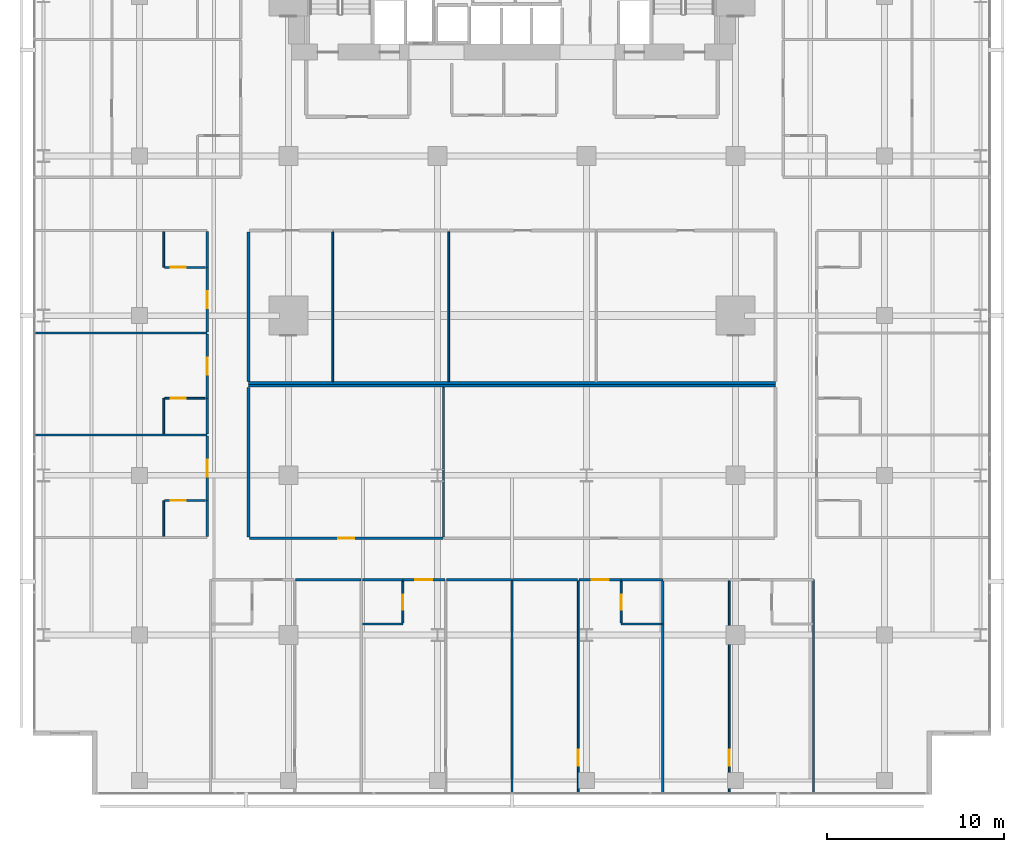
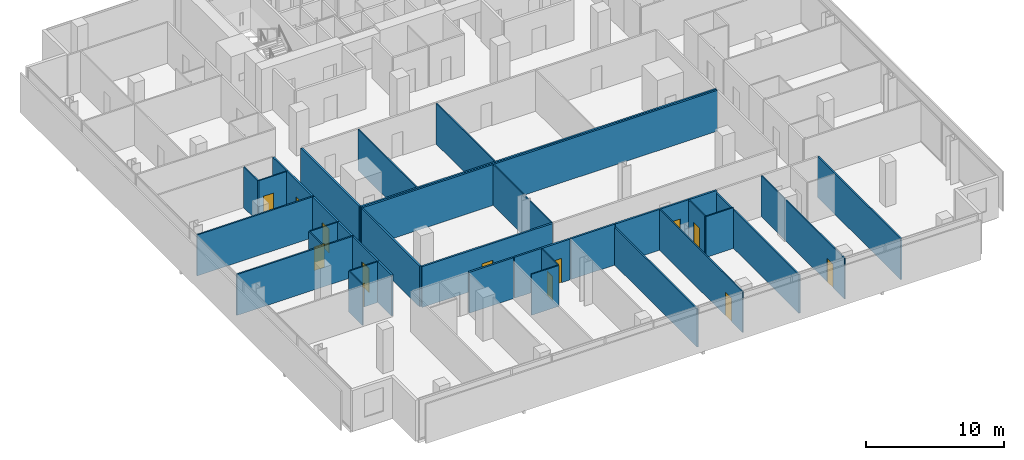
# One storey, part 33 of 40: 38 walls, 13 doors, 13 openings.
"""IFC4 building model written with IfcOpenShell, lengths in metres."""

import ifcopenshell
import ifcopenshell.guid

model = None  # the IFC model being written
_history = None  # IfcOwnerHistory: only IFC2X3 demands one
_inside = {}  # id of a spatial element -> (the spatial element, [elements in it])
_under = {}  # id of a project, library or spatial element -> (it, [spatial elements below it])
_declared = {}  # id of a project -> (the project, [libraries it declares])
_typed = {}  # id of a type object -> (the type object, [elements of that type])
_made_of = {}  # id of a material, layer set ... -> (it, [elements and type objects made of it])


def new_model(schema):
    """Start an empty IFC model of exactly this schema.

    Asked for "IFC4X3", IfcOpenShell would pick the latest addendum, in which some entities
    have other attributes; the version numbers below select the first issue.
    IFC2X3 requires an IfcOwnerHistory on every rooted entity: one is made here for all.
    """
    global model, _history
    if schema == "IFC4X3":
        model = ifcopenshell.file(schema_version=(4, 3, 0, 0))
    else:
        model = ifcopenshell.file(schema=schema)
    _inside.clear()
    _under.clear()
    _declared.clear()
    _typed.clear()
    _made_of.clear()
    _history = None
    if model.schema == "IFC2X3":
        org = make("IfcOrganization", Name="unknown")
        user = make(
            "IfcPersonAndOrganization",
            ThePerson=make("IfcPerson", FamilyName="unknown"),
            TheOrganization=org,
        )
        app = make(
            "IfcApplication",
            ApplicationDeveloper=org,
            Version="unknown",
            ApplicationFullName="unknown",
            ApplicationIdentifier="unknown",
        )
        _history = make(
            "IfcOwnerHistory",
            OwningUser=user,
            OwningApplication=app,
            ChangeAction="ADDED",
            CreationDate=0,
        )
    return model


def make(cls, **values):
    """One entity of the class cls with the attributes given. An attribute that is None is left unset."""
    return model.create_entity(
        cls, **{name: value for name, value in values.items() if value is not None}
    )


def rooted(cls, **values):
    """An entity with a GlobalId (a new one), such as an element, a storey or a relation."""
    return make(cls, GlobalId=ifcopenshell.guid.new(), OwnerHistory=_history, **values)


def si_unit(unit_type, name, prefix=None):
    """IfcSIUnit, for example si_unit("LENGTHUNIT", "METRE", prefix="MILLI")."""
    return make("IfcSIUnit", UnitType=unit_type, Prefix=prefix, Name=name)


def assignment(units):
    """IfcUnitAssignment: the units of a project."""
    return None if units is None else make("IfcUnitAssignment", Units=units)


def point(xyz):
    """IfcCartesianPoint."""
    return None if xyz is None else make("IfcCartesianPoint", Coordinates=xyz)


def direction(xyz):
    """IfcDirection."""
    return None if xyz is None else make("IfcDirection", DirectionRatios=xyz)


def frame(location, z_axis=None, x_axis=None):
    """IfcAxis2Placement3D, a coordinate frame: its origin and axes. An axis left out is left unset."""
    return make(
        "IfcAxis2Placement3D",
        Location=point(location),
        Axis=direction(z_axis),
        RefDirection=direction(x_axis),
    )


def frame_2d(location, x_axis=None):
    """IfcAxis2Placement2D, a coordinate frame in the plane: its origin and x axis."""
    return make(
        "IfcAxis2Placement2D", Location=point(location), RefDirection=direction(x_axis)
    )


def origin():
    """The frame at (0, 0, 0) with its axes left unset."""
    return frame((0.0, 0.0, 0.0))


def place(relative_to, where):
    """IfcLocalPlacement: puts the frame where relative to a parent placement (None: the world)."""
    return make(
        "IfcLocalPlacement", PlacementRelTo=relative_to, RelativePlacement=where
    )


def context(
    kind, dimensions, precision=None, world=None, true_north=None, identifier=None
):
    """IfcGeometricRepresentationContext, for example the 3D "Model" context."""
    return make(
        "IfcGeometricRepresentationContext",
        ContextIdentifier=identifier,
        ContextType=kind,
        CoordinateSpaceDimension=dimensions,
        Precision=precision,
        WorldCoordinateSystem=world,
        TrueNorth=true_north,
    )


def subcontext(parent, identifier, kind, view, scale=None):
    """IfcGeometricRepresentationSubContext, for example "Body" below "Model"."""
    return make(
        "IfcGeometricRepresentationSubContext",
        ContextIdentifier=identifier,
        ContextType=kind,
        ParentContext=parent,
        TargetScale=scale,
        TargetView=view,
    )


def project(units=None, contexts=None):
    """IfcProject with its units and contexts."""
    return rooted(
        "IfcProject",
        Name="project",
        RepresentationContexts=contexts,
        UnitsInContext=assignment(units),
    )


def spatial(cls, under=None, at=None, **own):
    """A site, building, storey or space (cls), placed at a placement, below another one or the project."""
    s = rooted(cls, ObjectPlacement=at, **own)
    if under is not None:
        _under.setdefault(under.id(), (under, []))[1].append(s)
    return s


def profile(cls, at=None, kind="AREA", **sizes):
    """A parametric profile (cls). Its sizes go by their IFC names, for example OverallWidth=200.0."""
    return make(cls, ProfileType=kind, Position=at, **sizes)


def rectangle(**sizes):
    """IfcRectangleProfileDef."""
    return profile("IfcRectangleProfileDef", **sizes)


def extrude(swept, where, along, depth):
    """IfcExtrudedAreaSolid: the profile swept, set in the frame where, extruded along a direction by depth."""
    return make(
        "IfcExtrudedAreaSolid",
        SweptArea=swept,
        Position=where,
        ExtrudedDirection=direction(along),
        Depth=depth,
    )


def shape(context_of_items, identifier, shape_type, items):
    """IfcShapeRepresentation: the items that make up one representation, for example the "Body"."""
    return make(
        "IfcShapeRepresentation",
        ContextOfItems=context_of_items,
        RepresentationIdentifier=identifier,
        RepresentationType=shape_type,
        Items=items,
    )


def material(Name=None, Category=None):
    """IfcMaterial."""
    return make("IfcMaterial", Name=Name, Category=Category)


def layer(
    of_material, thickness, ventilated=None, Name=None, Category=None, Priority=None
):
    """IfcMaterialLayer: one layer of a wall or slab, of a material (None: an air gap)."""
    return make(
        "IfcMaterialLayer",
        Material=of_material,
        LayerThickness=thickness,
        IsVentilated=ventilated,
        Name=Name,
        Category=Category,
        Priority=Priority,
    )


def layer_set(layers, Name=None):
    """IfcMaterialLayerSet."""
    return make("IfcMaterialLayerSet", MaterialLayers=layers, LayerSetName=Name)


def made_of(thing, what):
    """Note that an element or type object is made of a material, layer set ...; save() writes the relation."""
    if what is not None:
        _made_of.setdefault(what.id(), (what, []))[1].append(thing)
    return thing


def type_object(cls, material=None, **own):
    """A type object (cls), such as IfcWallType, which elements share."""
    return made_of(rooted(cls, **own), material)


def element(
    cls,
    number,
    at=None,
    inside=None,
    cuts=None,
    type_object=None,
    material=None,
    context=None,
    identifier="Body",
    shape_type=None,
    held_by="IfcProductDefinitionShape",
    body=None,
    shapes=None,
    **own,
):
    """One element of the class cls, such as IfcWall. Its Tag is "e" and its number.

    at: its placement. inside: the storey or other place that contains it. cuts: it is an
    opening in that element (IfcRelVoidsElement). A single representation is given by context,
    identifier, shape_type and body (its items); several are given by shapes. held_by: the class
    of the entity that holds the representations. save() writes the other relations.
    """
    e = rooted(cls, Tag="e%d" % number, ObjectPlacement=at, **own)
    if body is not None:
        shapes = [shape(context, identifier, shape_type, body)]
    if shapes is not None:
        e.Representation = make(held_by, Representations=shapes)
    if inside is not None:
        _inside.setdefault(inside.id(), (inside, []))[1].append(e)
    if cuts is not None:
        rooted(
            "IfcRelVoidsElement", RelatingBuildingElement=cuts, RelatedOpeningElement=e
        )
    if type_object is not None:
        _typed.setdefault(type_object.id(), (type_object, []))[1].append(e)
    return made_of(e, material)


def fill(opening, filler):
    """IfcRelFillsElement: the door or window that sits in an opening."""
    return rooted(
        "IfcRelFillsElement",
        RelatingOpeningElement=opening,
        RelatedBuildingElement=filler,
    )


def aggregate(whole, parts):
    """IfcRelAggregates: a whole, such as a stair, and the parts it consists of."""
    return rooted("IfcRelAggregates", RelatingObject=whole, RelatedObjects=parts)


def save(model, path):
    """Write the relations noted so far, then the file.

    IfcRelAggregates (storeys below a building ...), IfcRelContainedInSpatialStructure (elements
    in a storey), IfcRelDefinesByType, IfcRelAssociatesMaterial and IfcRelDeclares: one each for
    every whole, place, type object, material and project.
    """
    for whole, parts in _under.values():
        aggregate(whole, parts)
    for where, things in _inside.values():
        rooted(
            "IfcRelContainedInSpatialStructure",
            RelatedElements=things,
            RelatingStructure=where,
        )
    for kind, things in _typed.values():
        rooted("IfcRelDefinesByType", RelatedObjects=things, RelatingType=kind)
    for what, things in _made_of.values():
        rooted("IfcRelAssociatesMaterial", RelatedObjects=things, RelatingMaterial=what)
    for by, libraries in _declared.values():
        rooted("IfcRelDeclares", RelatingContext=by, RelatedDefinitions=libraries)
    model.write(path)


model = new_model("IFC4")

# Units and contexts
model_context = context("Model", 3, precision=1e-05, world=origin(), true_north=direction((0.0, 1.0)))
body_context = subcontext(model_context, "Body", "Model", "MODEL_VIEW")
ifc_project = project(units=[si_unit("LENGTHUNIT", "METRE"), si_unit("AREAUNIT", "SQUARE_METRE"), si_unit("VOLUMEUNIT", "CUBIC_METRE"), si_unit("PLANEANGLEUNIT", "RADIAN"), si_unit("MASSUNIT", "GRAM", prefix="KILO")], contexts=[model_context])

# Site, building, storey
site_placement = place(None, origin())
site = spatial("IfcSite", under=ifc_project, at=site_placement, CompositionType="ELEMENT")
building_placement = place(site_placement, origin())
building = spatial("IfcBuilding", under=site, at=building_placement, Name="Maruvema Waterfront Hotel and Observation Tower", CompositionType="ELEMENT")
storey_placement = place(building_placement, frame((0.0, 0.0, 96.25)))
storey = spatial("IfcBuildingStorey", under=building, at=storey_placement, Name="L23", CompositionType="ELEMENT", Elevation=96.25)

# Walls
ifc_material_1 = material(Name="Twin-stud acoustic gypsum drywall", Category="gypsum")
ifc_layer_1 = layer(ifc_material_1, 0.14990234375, Name="Acoustic Corridor and Suite Demising Wall 150 mm")
ifc_layer_set_1 = layer_set([ifc_layer_1], Name="Twin-stud acoustic gypsum drywall")
wall_type_1 = type_object("IfcWallType", Name="Acoustic Corridor and Suite Demising Wall 150 mm", PredefinedType="PARTITIONING", material=ifc_layer_set_1)
wall_1_placement = place(storey_placement, frame((22.949951171875, 23.199951171875, 0.0), z_axis=(0.0, 0.0, 1.0), x_axis=(1.0, 0.0, 0.0)))
element("IfcWall", 1, at=wall_1_placement, inside=storey, type_object=wall_type_1, Name="L23 L23-INTN Back Wall 022", PredefinedType="PARTITIONING", context=body_context, shape_type="SweptSolid", body=[
    extrude(rectangle(XDim=29.699951171875, YDim=0.14990234375, at=frame_2d((14.85009765625, 0.0))), origin(), (0.0, 0.0, 1.0), 3.610107421875),
])
wall_2_placement = place(storey_placement, frame((22.949951171875, 23.280029296875, 0.0), z_axis=(0.0, 0.0, 1.0), x_axis=(0.0, 1.0, 0.0)))
element("IfcWall", 2, at=wall_2_placement, inside=storey, type_object=wall_type_1, Name="L23 L23-INTN West Wall 023", PredefinedType="PARTITIONING", context=body_context, shape_type="SweptSolid", body=[
    extrude(rectangle(XDim=8.43994140625, YDim=0.14990234375, at=frame_2d((4.219970703125, 0.0))), origin(), (0.0, 0.0, 1.0), 3.610107421875),
])
wall_3_placement = place(storey_placement, frame((22.949951171875, 23.0400390625, 0.0), z_axis=(0.0, 0.0, 1.0), x_axis=(1.0, 0.0, 0.0)))
element("IfcWall", 3, at=wall_3_placement, inside=storey, type_object=wall_type_1, Name="L23 L23-INTS Back Wall 032", PredefinedType="PARTITIONING", context=body_context, shape_type="SweptSolid", body=[
    extrude(rectangle(XDim=29.699951171875, YDim=0.14990234375, at=frame_2d((14.85009765625, 0.0))), origin(), (0.0, 0.0, 1.0), 3.610107421875),
])
wall_4_placement = place(storey_placement, frame((22.949951171875, 14.530029296875, 0.0), z_axis=(0.0, 0.0, 1.0), x_axis=(0.0, 1.0, 0.0)))
element("IfcWall", 4, at=wall_4_placement, inside=storey, type_object=wall_type_1, Name="L23 L23-INTS West Wall 033", PredefinedType="PARTITIONING", context=body_context, shape_type="SweptSolid", body=[
    extrude(rectangle(XDim=8.429931640625, YDim=0.14990234375, at=frame_2d((4.21484375, 0.0))), origin(), (0.0, 0.0, 1.0), 3.610107421875),
])

# Wall, opening, door
wall_5_placement = place(storey_placement, frame((23.010009765625, 14.449951171875, 0.0), z_axis=(0.0, 0.0, 1.0), x_axis=(1.0, 0.0, 0.0)))
wall_5 = element("IfcWall", 5, at=wall_5_placement, inside=storey, type_object=wall_type_1, Name="L23 L23-INTS Front 1 035", PredefinedType="PARTITIONING", context=body_context, shape_type="SweptSolid", body=[
    extrude(rectangle(XDim=10.89892578125, YDim=0.14990234375, at=frame_2d((5.449462890625, 0.0))), origin(), (0.0, 0.0, 1.0), 3.610107421875),
])
opening_1_placement = place(wall_5_placement, frame((4.99951171875, 0.0, 0.0)))
opening_1 = element("IfcOpeningElement", 6, at=opening_1_placement, cuts=wall_5, Name="Opening DR-090", PredefinedType="OPENING", context=body_context, shape_type="SweptSolid", body=[
    extrude(rectangle(XDim=0.89990234375, YDim=2.10009765625, at=frame_2d((0.449951171875, 1.050048828125))), frame((0.0, 0.0849609375, 0.0), z_axis=(0.0, -1.0, 0.0), x_axis=(1.0, 0.0, 0.0)), (0.0, 0.0, 1.0), 0.169921875),
])
ifc_material_2 = material(Name="Solid-core lacquered timber leaf", Category="wood")
door_type_1 = type_object("IfcDoorType", Name="Accessible Toilet and Room Door 900x2100 mm", OperationType="NOTDEFINED", PredefinedType="DOOR", material=ifc_material_2)
door_1_placement = place(opening_1_placement, frame((0.89990234375, 0.0, 0.0), z_axis=(0.0, 0.0, 1.0), x_axis=(-1.0, 0.0, 0.0)))
door_1 = element("IfcDoor", 7, at=door_1_placement, inside=storey, type_object=door_type_1, Name="L23 Curator Office Door", OperationType="SINGLE_SWING_LEFT", OverallHeight=2.10009765625, OverallWidth=0.89990234375, PredefinedType="DOOR", context=body_context, shape_type="SweptSolid", body=[
    extrude(rectangle(XDim=0.89990234375, YDim=2.10009765625, at=frame_2d((0.449951171875, 1.050048828125))), frame((0.0, 0.02490234375, 0.0), z_axis=(0.0, -1.0, 0.0), x_axis=(1.0, 0.0, 0.0)), (0.0, 0.0, 1.0), 0.050048828125),
])
fill(opening_1, door_1)

# Walls
wall_6_placement = place(storey_placement, frame((25.60009765625, 12.1201171875, 0.0), z_axis=(0.0, 0.0, 1.0), x_axis=(1.0, 0.0, 0.0)))
element("IfcWall", 8, at=wall_6_placement, inside=storey, type_object=wall_type_1, Name="L23 Bedroom L23-S1 Back Wall 044", PredefinedType="PARTITIONING", context=body_context, shape_type="SweptSolid", body=[
    extrude(rectangle(XDim=3.679931640625, YDim=0.14990234375, at=frame_2d((1.83984375, 0.0))), origin(), (0.0, 0.0, 1.0), 3.610107421875),
])
wall_7_placement = place(storey_placement, frame((29.3798828125, 12.1201171875, 0.0), z_axis=(0.0, 0.0, 1.0), x_axis=(1.0, 0.0, 0.0)))
element("IfcWall", 9, at=wall_7_placement, inside=storey, type_object=wall_type_1, Name="L23 Bath L23-S2 Back Wall 047", PredefinedType="PARTITIONING", context=body_context, shape_type="SweptSolid", body=[
    extrude(rectangle(XDim=2.27001953125, YDim=0.14990234375, at=frame_2d((1.135009765625, 0.0))), origin(), (0.0, 0.0, 1.0), 3.610107421875),
])

# Wall, opening, door
wall_8_placement = place(storey_placement, frame((31.64990234375, 12.1201171875, 0.0), z_axis=(0.0, 0.0, 1.0), x_axis=(1.0, 0.0, 0.0)))
wall_8 = element("IfcWall", 10, at=wall_8_placement, inside=storey, type_object=wall_type_1, Name="L23 Unit L23-S2 Corridor Wall 050", PredefinedType="PARTITIONING", context=body_context, shape_type="SweptSolid", body=[
    extrude(rectangle(XDim=2.3701171875, YDim=0.14990234375, at=frame_2d((1.18505859375, 0.0))), origin(), (0.0, 0.0, 1.0), 3.610107421875),
])
opening_2_placement = place(wall_8_placement, frame((0.7099609375, 0.0, 0.0)))
opening_2 = element("IfcOpeningElement", 11, at=opening_2_placement, cuts=wall_8, Name="Opening DR-095", PredefinedType="OPENING", context=body_context, shape_type="SweptSolid", body=[
    extrude(rectangle(XDim=0.949951171875, YDim=2.14990234375, at=frame_2d((0.47509765625, 1.074951171875))), frame((0.0, 0.0849609375, 0.0), z_axis=(0.0, -1.0, 0.0), x_axis=(1.0, 0.0, 0.0)), (0.0, 0.0, 1.0), 0.169921875),
])
ifc_material_3 = material(Name="Acoustic solid-core hardwood timber leaf", Category="wood")
door_type_2 = type_object("IfcDoorType", Name="Guestroom Entrance Fire Door 950x2150 mm", OperationType="NOTDEFINED", PredefinedType="DOOR", material=ifc_material_3)
door_2_placement = place(opening_2_placement, frame((0.949951171875, 0.0, 0.0), z_axis=(0.0, 0.0, 1.0), x_axis=(-1.0, 0.0, 0.0)))
door_2 = element("IfcDoor", 12, at=door_2_placement, inside=storey, type_object=door_type_2, Name="L23 Unit L23-S2 Entrance Door", OperationType="SINGLE_SWING_LEFT", OverallHeight=2.14990234375, OverallWidth=0.949951171875, PredefinedType="DOOR", context=body_context, shape_type="SweptSolid", body=[
    extrude(rectangle(XDim=0.949951171875, YDim=2.14990234375, at=frame_2d((0.47509765625, 1.074951171875))), frame((0.0, 0.02490234375, 0.0), z_axis=(0.0, -1.0, 0.0), x_axis=(1.0, 0.0, 0.0)), (0.0, 0.0, 1.0), 0.050048828125),
])
fill(opening_2, door_2)

# Walls
wall_9_placement = place(storey_placement, frame((34.10009765625, 12.1201171875, 0.0), z_axis=(0.0, 0.0, 1.0), x_axis=(1.0, 0.0, 0.0)))
element("IfcWall", 13, at=wall_9_placement, inside=storey, type_object=wall_type_1, Name="L23 Bedroom L23-S2 Back Wall 051", PredefinedType="PARTITIONING", context=body_context, shape_type="SweptSolid", body=[
    extrude(rectangle(XDim=3.679931640625, YDim=0.14990234375, at=frame_2d((1.83984375, 0.0))), origin(), (0.0, 0.0, 1.0), 3.610107421875),
])
wall_10_placement = place(storey_placement, frame((43.949951171875, 12.1201171875, 0.0), z_axis=(0.0, 0.0, 1.0), x_axis=(1.0, 0.0, 0.0)))
element("IfcWall", 14, at=wall_10_placement, inside=storey, type_object=wall_type_1, Name="L23 Bath L23-S3 Back Wall 054", PredefinedType="PARTITIONING", context=body_context, shape_type="SweptSolid", body=[
    extrude(rectangle(XDim=2.330078125, YDim=0.14990234375, at=frame_2d((1.1650390625, 0.0))), origin(), (0.0, 0.0, 1.0), 3.610107421875),
])
wall_11_placement = place(storey_placement, frame((37.820068359375, 12.1201171875, 0.0), z_axis=(0.0, 0.0, 1.0), x_axis=(1.0, 0.0, 0.0)))
element("IfcWall", 15, at=wall_11_placement, inside=storey, type_object=wall_type_1, Name="L23 Bedroom L23-S3 Back Wall 057", PredefinedType="PARTITIONING", context=body_context, shape_type="SweptSolid", body=[
    extrude(rectangle(XDim=3.679931640625, YDim=0.14990234375, at=frame_2d((1.83984375, 0.0))), origin(), (0.0, 0.0, 1.0), 3.610107421875),
])

# Wall, opening, door
wall_12_placement = place(storey_placement, frame((41.580078125, 12.1201171875, 0.0), z_axis=(0.0, 0.0, 1.0), x_axis=(1.0, 0.0, 0.0)))
wall_12 = element("IfcWall", 16, at=wall_12_placement, inside=storey, type_object=wall_type_1, Name="L23 Unit L23-S3 Corridor Wall 058", PredefinedType="PARTITIONING", context=body_context, shape_type="SweptSolid", body=[
    extrude(rectangle(XDim=2.369873046875, YDim=0.14990234375, at=frame_2d((1.18505859375, 0.0))), origin(), (0.0, 0.0, 1.0), 3.610107421875),
])
opening_3_placement = place(wall_12_placement, frame((0.7099609375, 0.0, 0.0)))
opening_3 = element("IfcOpeningElement", 17, at=opening_3_placement, cuts=wall_12, Name="Opening DR-095", PredefinedType="OPENING", context=body_context, shape_type="SweptSolid", body=[
    extrude(rectangle(XDim=0.949951171875, YDim=2.14990234375, at=frame_2d((0.47509765625, 1.074951171875))), frame((0.0, 0.0849609375, 0.0), z_axis=(0.0, -1.0, 0.0), x_axis=(1.0, 0.0, 0.0)), (0.0, 0.0, 1.0), 0.169921875),
])
door_3_placement = place(opening_3_placement, frame((0.949951171875, 0.0, 0.0), z_axis=(0.0, 0.0, 1.0), x_axis=(-1.0, 0.0, 0.0)))
door_3 = element("IfcDoor", 18, at=door_3_placement, inside=storey, type_object=door_type_2, Name="L23 Unit L23-S3 Entrance Door", OperationType="SINGLE_SWING_RIGHT", OverallHeight=2.14990234375, OverallWidth=0.949951171875, PredefinedType="DOOR", context=body_context, shape_type="SweptSolid", body=[
    extrude(rectangle(XDim=0.949951171875, YDim=2.14990234375, at=frame_2d((0.47509765625, 1.074951171875))), frame((0.0, 0.02490234375, 0.0), z_axis=(0.0, -1.0, 0.0), x_axis=(1.0, 0.0, 0.0)), (0.0, 0.0, 1.0), 0.050048828125),
])
fill(opening_3, door_3)

# Wall
wall_13_placement = place(storey_placement, frame((20.6201171875, 14.56005859375, 0.0), z_axis=(0.0, 0.0, 1.0), x_axis=(0.0, 1.0, 0.0)))
element("IfcWall", 19, at=wall_13_placement, inside=storey, type_object=wall_type_1, Name="L23 Bath L23-W1 Wall 071", PredefinedType="PARTITIONING", context=body_context, shape_type="SweptSolid", body=[
    extrude(rectangle(XDim=2.02001953125, YDim=0.14990234375, at=frame_2d((1.010009765625, 0.0))), origin(), (0.0, 0.0, 1.0), 3.610107421875),
])

# Wall, opening, door
wall_14_placement = place(storey_placement, frame((20.6201171875, 16.580078125, 0.0), z_axis=(0.0, 0.0, 1.0), x_axis=(0.0, 1.0, 0.0)))
wall_14 = element("IfcWall", 20, at=wall_14_placement, inside=storey, type_object=wall_type_1, Name="L23 Room L23-W1 Corridor Wall 072", PredefinedType="PARTITIONING", context=body_context, shape_type="SweptSolid", body=[
    extrude(rectangle(XDim=3.6298828125, YDim=0.14990234375, at=frame_2d((1.81494140625, 0.0))), origin(), (0.0, 0.0, 1.0), 3.610107421875),
])
opening_4_placement = place(wall_14_placement, frame((1.340087890625, 0.0, 0.0)))
opening_4 = element("IfcOpeningElement", 21, at=opening_4_placement, cuts=wall_14, Name="Opening DR-095", PredefinedType="OPENING", context=body_context, shape_type="SweptSolid", body=[
    extrude(rectangle(XDim=0.949951171875, YDim=2.14990234375, at=frame_2d((0.47509765625, 1.074951171875))), frame((0.0, 0.0849609375, 0.0), z_axis=(0.0, -1.0, 0.0), x_axis=(1.0, 0.0, 0.0)), (0.0, 0.0, 1.0), 0.169921875),
])
door_4_placement = place(opening_4_placement, origin())
door_4 = element("IfcDoor", 22, at=door_4_placement, inside=storey, type_object=door_type_2, Name="L23 Room L23-W1 Entrance Door", OperationType="SINGLE_SWING_RIGHT", OverallHeight=2.14990234375, OverallWidth=0.949951171875, PredefinedType="DOOR", context=body_context, shape_type="SweptSolid", body=[
    extrude(rectangle(XDim=0.949951171875, YDim=2.14990234375, at=frame_2d((0.47509765625, 1.074951171875))), frame((0.0, 0.02490234375, 0.0), z_axis=(0.0, -1.0, 0.0), x_axis=(1.0, 0.0, 0.0)), (0.0, 0.0, 1.0), 0.050048828125),
])
fill(opening_4, door_4)

# Wall
wall_15_placement = place(storey_placement, frame((20.6201171875, 20.330078125, 0.0), z_axis=(0.0, 0.0, 1.0), x_axis=(0.0, 1.0, 0.0)))
element("IfcWall", 23, at=wall_15_placement, inside=storey, type_object=wall_type_1, Name="L23 Bath L23-W2 Wall 081", PredefinedType="PARTITIONING", context=body_context, shape_type="SweptSolid", body=[
    extrude(rectangle(XDim=2.010009765625, YDim=0.14990234375, at=frame_2d((1.0048828125, 0.0))), origin(), (0.0, 0.0, 1.0), 3.610107421875),
])

# Wall, opening, door
wall_16_placement = place(storey_placement, frame((20.6201171875, 22.340087890625, 0.0), z_axis=(0.0, 0.0, 1.0), x_axis=(0.0, 1.0, 0.0)))
wall_16 = element("IfcWall", 24, at=wall_16_placement, inside=storey, type_object=wall_type_1, Name="L23 Room L23-W2 Corridor Wall 082", PredefinedType="PARTITIONING", context=body_context, shape_type="SweptSolid", body=[
    extrude(rectangle(XDim=3.6298828125, YDim=0.14990234375, at=frame_2d((1.81494140625, 0.0))), origin(), (0.0, 0.0, 1.0), 3.610107421875),
])
opening_5_placement = place(wall_16_placement, frame((1.340087890625, 0.0, 0.0)))
opening_5 = element("IfcOpeningElement", 25, at=opening_5_placement, cuts=wall_16, Name="Opening DR-095", PredefinedType="OPENING", context=body_context, shape_type="SweptSolid", body=[
    extrude(rectangle(XDim=0.949951171875, YDim=2.14990234375, at=frame_2d((0.47509765625, 1.074951171875))), frame((0.0, 0.0849609375, 0.0), z_axis=(0.0, -1.0, 0.0), x_axis=(1.0, 0.0, 0.0)), (0.0, 0.0, 1.0), 0.169921875),
])
door_5_placement = place(opening_5_placement, origin())
door_5 = element("IfcDoor", 26, at=door_5_placement, inside=storey, type_object=door_type_2, Name="L23 Room L23-W2 Entrance Door", OperationType="SINGLE_SWING_RIGHT", OverallHeight=2.14990234375, OverallWidth=0.949951171875, PredefinedType="DOOR", context=body_context, shape_type="SweptSolid", body=[
    extrude(rectangle(XDim=0.949951171875, YDim=2.14990234375, at=frame_2d((0.47509765625, 1.074951171875))), frame((0.0, 0.02490234375, 0.0), z_axis=(0.0, -1.0, 0.0), x_axis=(1.0, 0.0, 0.0)), (0.0, 0.0, 1.0), 0.050048828125),
])
fill(opening_5, door_5)

wall_17_placement = place(storey_placement, frame((20.6201171875, 26.090087890625, 0.0), z_axis=(0.0, 0.0, 1.0), x_axis=(0.0, 1.0, 0.0)))
wall_17 = element("IfcWall", 27, at=wall_17_placement, inside=storey, type_object=wall_type_1, Name="L23 Room L23-W3 Corridor Wall 091", PredefinedType="PARTITIONING", context=body_context, shape_type="SweptSolid", body=[
    extrude(rectangle(XDim=3.6298828125, YDim=0.14990234375, at=frame_2d((1.81494140625, 0.0))), origin(), (0.0, 0.0, 1.0), 3.610107421875),
])
opening_6_placement = place(wall_17_placement, frame((1.340087890625, 0.0, 0.0)))
opening_6 = element("IfcOpeningElement", 28, at=opening_6_placement, cuts=wall_17, Name="Opening DR-095", PredefinedType="OPENING", context=body_context, shape_type="SweptSolid", body=[
    extrude(rectangle(XDim=0.949951171875, YDim=2.14990234375, at=frame_2d((0.47509765625, 1.074951171875))), frame((0.0, 0.0849609375, 0.0), z_axis=(0.0, -1.0, 0.0), x_axis=(1.0, 0.0, 0.0)), (0.0, 0.0, 1.0), 0.169921875),
])
door_6_placement = place(opening_6_placement, origin())
door_6 = element("IfcDoor", 29, at=door_6_placement, inside=storey, type_object=door_type_2, Name="L23 Room L23-W3 Entrance Door", OperationType="SINGLE_SWING_RIGHT", OverallHeight=2.14990234375, OverallWidth=0.949951171875, PredefinedType="DOOR", context=body_context, shape_type="SweptSolid", body=[
    extrude(rectangle(XDim=0.949951171875, YDim=2.14990234375, at=frame_2d((0.47509765625, 1.074951171875))), frame((0.0, 0.02490234375, 0.0), z_axis=(0.0, -1.0, 0.0), x_axis=(1.0, 0.0, 0.0)), (0.0, 0.0, 1.0), 0.050048828125),
])
fill(opening_6, door_6)

# Walls
wall_18_placement = place(storey_placement, frame((20.6201171875, 29.719970703125, 0.0), z_axis=(0.0, 0.0, 1.0), x_axis=(0.0, 1.0, 0.0)))
element("IfcWall", 30, at=wall_18_placement, inside=storey, type_object=wall_type_1, Name="L23 Bath L23-W3 Wall 092", PredefinedType="PARTITIONING", context=body_context, shape_type="SweptSolid", body=[
    extrude(rectangle(XDim=2.02001953125, YDim=0.14990234375, at=frame_2d((1.010009765625, 0.0))), origin(), (0.0, 0.0, 1.0), 3.610107421875),
])
ifc_material_4 = material(Name="Moisture-resistant cement-board drywall", Category="gypsum")
ifc_layer_2 = layer(ifc_material_4, 0.10009765625, Name="En-Suite Moisture-Resistant Partition 100 mm")
ifc_layer_set_2 = layer_set([ifc_layer_2], Name="Moisture-resistant cement-board drywall")
wall_type_2 = type_object("IfcWallType", Name="En-Suite Moisture-Resistant Partition 100 mm", PredefinedType="PARTITIONING", material=ifc_layer_set_2)
for number, where, z_axis, x_axis, name in (
    (31, (27.701904296875, 23.280029296875, 0.0), (0.0, 0.0, 1.0), (0.0, 1.0, 0.0), "L23 L23-INTN Split 1 026"),
    (32, (34.236083984375, 23.280029296875, 0.0), (0.0, 0.0, 1.0), (0.0, 1.0, 0.0), "L23 L23-INTN Split 2 028"),
):
    element("IfcWall", number, at=place(storey_placement, frame(where, z_axis=z_axis, x_axis=x_axis)), inside=storey, type_object=wall_type_2, Name=name, PredefinedType="PARTITIONING", context=body_context, shape_type="SweptSolid", body=[
        extrude(rectangle(XDim=8.43994140625, YDim=0.10009765625, at=frame_2d((4.219970703125, 0.0))), origin(), (0.0, 0.0, 1.0), 3.610107421875),
    ])
wall_19_placement = place(storey_placement, frame((33.93896484375, 14.530029296875, 0.0), z_axis=(0.0, 0.0, 1.0), x_axis=(0.0, 1.0, 0.0)))
element("IfcWall", 33, at=wall_19_placement, inside=storey, type_object=wall_type_2, Name="L23 L23-INTS Split 1 036", PredefinedType="PARTITIONING", context=body_context, shape_type="SweptSolid", body=[
    extrude(rectangle(XDim=8.429931640625, YDim=0.10009765625, at=frame_2d((4.21484375, 0.0))), origin(), (0.0, 0.0, 1.0), 3.610107421875),
])
wall_20_placement = place(storey_placement, frame((29.3798828125, 9.6201171875, 0.0), z_axis=(0.0, 0.0, 1.0), x_axis=(1.0, 0.0, 0.0)))
element("IfcWall", 34, at=wall_20_placement, inside=storey, type_object=wall_type_2, Name="L23 En-Suite L23-S2 South 048", PredefinedType="PARTITIONING", context=body_context, shape_type="SweptSolid", body=[
    extrude(rectangle(XDim=2.27001953125, YDim=0.10009765625, at=frame_2d((1.135009765625, 0.0))), origin(), (0.0, 0.0, 1.0), 3.610107421875),
])

# Wall, opening, door
wall_21_placement = place(storey_placement, frame((31.64990234375, 9.679931640625, 0.0), z_axis=(0.0, 0.0, 1.0), x_axis=(0.0, 1.0, 0.0)))
wall_21 = element("IfcWall", 35, at=wall_21_placement, inside=storey, type_object=wall_type_2, Name="L23 En-Suite L23-S2 East 049", PredefinedType="PARTITIONING", context=body_context, shape_type="SweptSolid", body=[
    extrude(rectangle(XDim=2.340087890625, YDim=0.10009765625, at=frame_2d((1.169921875, 0.0))), origin(), (0.0, 0.0, 1.0), 3.610107421875),
])
opening_7_placement = place(wall_21_placement, frame((0.7451171875, 0.0, 0.0)))
opening_7 = element("IfcOpeningElement", 36, at=opening_7_placement, cuts=wall_21, Name="Opening DR-085", PredefinedType="OPENING", context=body_context, shape_type="SweptSolid", body=[
    extrude(rectangle(XDim=0.85009765625, YDim=2.10009765625, at=frame_2d((0.425048828125, 1.050048828125))), frame((0.0, 0.06005859375, 0.0), z_axis=(0.0, -1.0, 0.0), x_axis=(1.0, 0.0, 0.0)), (0.0, 0.0, 1.0), 0.1201171875),
])
ifc_material_5 = material(Name="Moisture-resistant solid timber leaf", Category="wood")
door_type_3 = type_object("IfcDoorType", Name="En-Suite Bathroom Door 850x2100 mm", OperationType="NOTDEFINED", PredefinedType="DOOR", material=ifc_material_5)
door_7_placement = place(opening_7_placement, frame((0.85009765625, 0.0, 0.0), z_axis=(0.0, 0.0, 1.0), x_axis=(-1.0, 0.0, 0.0)))
door_7 = element("IfcDoor", 37, at=door_7_placement, inside=storey, type_object=door_type_3, Name="L23 En-Suite L23-S2 Door", OperationType="SINGLE_SWING_RIGHT", OverallHeight=2.10009765625, OverallWidth=0.85009765625, PredefinedType="DOOR", context=body_context, shape_type="SweptSolid", body=[
    extrude(rectangle(XDim=0.85009765625, YDim=2.10009765625, at=frame_2d((0.425048828125, 1.050048828125))), frame((0.0, 0.02490234375, 0.0), z_axis=(0.0, -1.0, 0.0), x_axis=(1.0, 0.0, 0.0)), (0.0, 0.0, 1.0), 0.050048828125),
])
fill(opening_7, door_7)

# Wall
wall_22_placement = place(storey_placement, frame((43.949951171875, 9.6201171875, 0.0), z_axis=(0.0, 0.0, 1.0), x_axis=(1.0, 0.0, 0.0)))
element("IfcWall", 38, at=wall_22_placement, inside=storey, type_object=wall_type_2, Name="L23 En-Suite L23-S3 South 055", PredefinedType="PARTITIONING", context=body_context, shape_type="SweptSolid", body=[
    extrude(rectangle(XDim=2.31005859375, YDim=0.10009765625, at=frame_2d((1.155029296875, 0.0))), origin(), (0.0, 0.0, 1.0), 3.610107421875),
])

# Wall, opening, door
wall_23_placement = place(storey_placement, frame((43.949951171875, 9.679931640625, 0.0), z_axis=(0.0, 0.0, 1.0), x_axis=(0.0, 1.0, 0.0)))
wall_23 = element("IfcWall", 39, at=wall_23_placement, inside=storey, type_object=wall_type_2, Name="L23 En-Suite L23-S3 West 056", PredefinedType="PARTITIONING", context=body_context, shape_type="SweptSolid", body=[
    extrude(rectangle(XDim=2.340087890625, YDim=0.10009765625, at=frame_2d((1.169921875, 0.0))), origin(), (0.0, 0.0, 1.0), 3.610107421875),
])
opening_8_placement = place(wall_23_placement, frame((0.7451171875, 0.0, 0.0)))
opening_8 = element("IfcOpeningElement", 40, at=opening_8_placement, cuts=wall_23, Name="Opening DR-085", PredefinedType="OPENING", context=body_context, shape_type="SweptSolid", body=[
    extrude(rectangle(XDim=0.85009765625, YDim=2.10009765625, at=frame_2d((0.425048828125, 1.050048828125))), frame((0.0, 0.06005859375, 0.0), z_axis=(0.0, -1.0, 0.0), x_axis=(1.0, 0.0, 0.0)), (0.0, 0.0, 1.0), 0.1201171875),
])
door_8_placement = place(opening_8_placement, origin())
door_8 = element("IfcDoor", 41, at=door_8_placement, inside=storey, type_object=door_type_3, Name="L23 En-Suite L23-S3 Door", OperationType="SINGLE_SWING_LEFT", OverallHeight=2.10009765625, OverallWidth=0.85009765625, PredefinedType="DOOR", context=body_context, shape_type="SweptSolid", body=[
    extrude(rectangle(XDim=0.85009765625, YDim=2.10009765625, at=frame_2d((0.425048828125, 1.050048828125))), frame((0.0, 0.02490234375, 0.0), z_axis=(0.0, -1.0, 0.0), x_axis=(1.0, 0.0, 0.0)), (0.0, 0.0, 1.0), 0.050048828125),
])
fill(opening_8, door_8)

wall_24_placement = place(storey_placement, frame((41.5400390625, 0.030029296875, 0.0), z_axis=(0.0, 0.0, 1.0), x_axis=(0.0, 1.0, 0.0)))
wall_24 = element("IfcWall", 42, at=wall_24_placement, inside=storey, type_object=wall_type_2, Name="L23 Suite L23-S3 Split 059", PredefinedType="PARTITIONING", context=body_context, shape_type="SweptSolid", body=[
    extrude(rectangle(XDim=12.030029296875, YDim=0.10009765625, at=frame_2d((6.01513671875, 0.0))), origin(), (0.0, 0.0, 1.0), 3.610107421875),
])
opening_9_placement = place(wall_24_placement, frame((1.60009765625, 0.0, 0.0)))
opening_9 = element("IfcOpeningElement", 43, at=opening_9_placement, cuts=wall_24, Name="Opening DR-090", PredefinedType="OPENING", context=body_context, shape_type="SweptSolid", body=[
    extrude(rectangle(XDim=0.89990234375, YDim=2.10009765625, at=frame_2d((0.449951171875, 1.050048828125))), frame((0.0, 0.06005859375, 0.0), z_axis=(0.0, -1.0, 0.0), x_axis=(1.0, 0.0, 0.0)), (0.0, 0.0, 1.0), 0.1201171875),
])
door_9_placement = place(opening_9_placement, frame((0.89990234375, 0.0, 0.0), z_axis=(0.0, 0.0, 1.0), x_axis=(-1.0, 0.0, 0.0)))
door_9 = element("IfcDoor", 44, at=door_9_placement, inside=storey, type_object=door_type_1, Name="L23 Suite L23-S3 Bedroom Door", OperationType="SINGLE_SWING_LEFT", OverallHeight=2.10009765625, OverallWidth=0.89990234375, PredefinedType="DOOR", context=body_context, shape_type="SweptSolid", body=[
    extrude(rectangle(XDim=0.89990234375, YDim=2.10009765625, at=frame_2d((0.449951171875, 1.050048828125))), frame((0.0, 0.02490234375, 0.0), z_axis=(0.0, -1.0, 0.0), x_axis=(1.0, 0.0, 0.0)), (0.0, 0.0, 1.0), 0.050048828125),
])
fill(opening_9, door_9)

wall_25_placement = place(storey_placement, frame((50.0400390625, 0.030029296875, 0.0), z_axis=(0.0, 0.0, 1.0), x_axis=(0.0, 1.0, 0.0)))
wall_25 = element("IfcWall", 45, at=wall_25_placement, inside=storey, type_object=wall_type_2, Name="L23 Suite L23-S4 Split 066", PredefinedType="PARTITIONING", context=body_context, shape_type="SweptSolid", body=[
    extrude(rectangle(XDim=12.030029296875, YDim=0.10009765625, at=frame_2d((6.01513671875, 0.0))), origin(), (0.0, 0.0, 1.0), 3.610107421875),
])
opening_10_placement = place(wall_25_placement, frame((1.60009765625, 0.0, 0.0)))
opening_10 = element("IfcOpeningElement", 46, at=opening_10_placement, cuts=wall_25, Name="Opening DR-090", PredefinedType="OPENING", context=body_context, shape_type="SweptSolid", body=[
    extrude(rectangle(XDim=0.89990234375, YDim=2.10009765625, at=frame_2d((0.449951171875, 1.050048828125))), frame((0.0, 0.06005859375, 0.0), z_axis=(0.0, -1.0, 0.0), x_axis=(1.0, 0.0, 0.0)), (0.0, 0.0, 1.0), 0.1201171875),
])
door_10_placement = place(opening_10_placement, frame((0.89990234375, 0.0, 0.0), z_axis=(0.0, 0.0, 1.0), x_axis=(-1.0, 0.0, 0.0)))
door_10 = element("IfcDoor", 47, at=door_10_placement, inside=storey, type_object=door_type_1, Name="L23 Suite L23-S4 Bedroom Door", OperationType="SINGLE_SWING_RIGHT", OverallHeight=2.10009765625, OverallWidth=0.89990234375, PredefinedType="DOOR", context=body_context, shape_type="SweptSolid", body=[
    extrude(rectangle(XDim=0.89990234375, YDim=2.10009765625, at=frame_2d((0.449951171875, 1.050048828125))), frame((0.0, 0.02490234375, 0.0), z_axis=(0.0, -1.0, 0.0), x_axis=(1.0, 0.0, 0.0)), (0.0, 0.0, 1.0), 0.050048828125),
])
fill(opening_10, door_10)

# Wall
wall_26_placement = place(storey_placement, frame((18.169921875, 14.56005859375, 0.0), z_axis=(0.0, 0.0, 1.0), x_axis=(0.0, 1.0, 0.0)))
element("IfcWall", 48, at=wall_26_placement, inside=storey, type_object=wall_type_2, Name="L23 En-Suite L23-W1 W 073", PredefinedType="PARTITIONING", context=body_context, shape_type="SweptSolid", body=[
    extrude(rectangle(XDim=2.02001953125, YDim=0.10009765625, at=frame_2d((1.010009765625, 0.0))), origin(), (0.0, 0.0, 1.0), 3.610107421875),
])

# Wall, opening, door
wall_27_placement = place(storey_placement, frame((18.219970703125, 16.580078125, 0.0), z_axis=(0.0, 0.0, 1.0), x_axis=(1.0, 0.0, 0.0)))
wall_27 = element("IfcWall", 49, at=wall_27_placement, inside=storey, type_object=wall_type_2, Name="L23 En-Suite L23-W1 N 074", PredefinedType="PARTITIONING", context=body_context, shape_type="SweptSolid", body=[
    extrude(rectangle(XDim=2.300048828125, YDim=0.10009765625, at=frame_2d((1.14990234375, 0.0))), origin(), (0.0, 0.0, 1.0), 3.610107421875),
])
opening_11_placement = place(wall_27_placement, frame((0.35009765625, 0.0, 0.0)))
opening_11 = element("IfcOpeningElement", 50, at=opening_11_placement, cuts=wall_27, Name="Opening DR-085", PredefinedType="OPENING", context=body_context, shape_type="SweptSolid", body=[
    extrude(rectangle(XDim=0.85009765625, YDim=2.10009765625, at=frame_2d((0.425048828125, 1.050048828125))), frame((0.0, 0.06005859375, 0.0), z_axis=(0.0, -1.0, 0.0), x_axis=(1.0, 0.0, 0.0)), (0.0, 0.0, 1.0), 0.1201171875),
])
door_11_placement = place(opening_11_placement, origin())
door_11 = element("IfcDoor", 51, at=door_11_placement, inside=storey, type_object=door_type_3, Name="L23 En-Suite L23-W1 Door", OperationType="SINGLE_SWING_LEFT", OverallHeight=2.10009765625, OverallWidth=0.85009765625, PredefinedType="DOOR", context=body_context, shape_type="SweptSolid", body=[
    extrude(rectangle(XDim=0.85009765625, YDim=2.10009765625, at=frame_2d((0.425048828125, 1.050048828125))), frame((0.0, 0.02490234375, 0.0), z_axis=(0.0, -1.0, 0.0), x_axis=(1.0, 0.0, 0.0)), (0.0, 0.0, 1.0), 0.050048828125),
])
fill(opening_11, door_11)

# Wall
wall_28_placement = place(storey_placement, frame((18.169921875, 20.330078125, 0.0), z_axis=(0.0, 0.0, 1.0), x_axis=(0.0, 1.0, 0.0)))
element("IfcWall", 52, at=wall_28_placement, inside=storey, type_object=wall_type_2, Name="L23 En-Suite L23-W2 W 083", PredefinedType="PARTITIONING", context=body_context, shape_type="SweptSolid", body=[
    extrude(rectangle(XDim=2.010009765625, YDim=0.10009765625, at=frame_2d((1.0048828125, 0.0))), origin(), (0.0, 0.0, 1.0), 3.610107421875),
])

# Wall, opening, door
wall_29_placement = place(storey_placement, frame((18.219970703125, 22.340087890625, 0.0), z_axis=(0.0, 0.0, 1.0), x_axis=(1.0, 0.0, 0.0)))
wall_29 = element("IfcWall", 53, at=wall_29_placement, inside=storey, type_object=wall_type_2, Name="L23 En-Suite L23-W2 N 084", PredefinedType="PARTITIONING", context=body_context, shape_type="SweptSolid", body=[
    extrude(rectangle(XDim=2.300048828125, YDim=0.10009765625, at=frame_2d((1.14990234375, 0.0))), origin(), (0.0, 0.0, 1.0), 3.610107421875),
])
opening_12_placement = place(wall_29_placement, frame((0.35009765625, 0.0, 0.0)))
opening_12 = element("IfcOpeningElement", 54, at=opening_12_placement, cuts=wall_29, Name="Opening DR-085", PredefinedType="OPENING", context=body_context, shape_type="SweptSolid", body=[
    extrude(rectangle(XDim=0.85009765625, YDim=2.10009765625, at=frame_2d((0.425048828125, 1.050048828125))), frame((0.0, 0.06005859375, 0.0), z_axis=(0.0, -1.0, 0.0), x_axis=(1.0, 0.0, 0.0)), (0.0, 0.0, 1.0), 0.1201171875),
])
door_12_placement = place(opening_12_placement, origin())
door_12 = element("IfcDoor", 55, at=door_12_placement, inside=storey, type_object=door_type_3, Name="L23 En-Suite L23-W2 Door", OperationType="SINGLE_SWING_LEFT", OverallHeight=2.10009765625, OverallWidth=0.85009765625, PredefinedType="DOOR", context=body_context, shape_type="SweptSolid", body=[
    extrude(rectangle(XDim=0.85009765625, YDim=2.10009765625, at=frame_2d((0.425048828125, 1.050048828125))), frame((0.0, 0.02490234375, 0.0), z_axis=(0.0, -1.0, 0.0), x_axis=(1.0, 0.0, 0.0)), (0.0, 0.0, 1.0), 0.050048828125),
])
fill(opening_12, door_12)

# Wall
wall_30_placement = place(storey_placement, frame((18.169921875, 29.719970703125, 0.0), z_axis=(0.0, 0.0, 1.0), x_axis=(0.0, 1.0, 0.0)))
element("IfcWall", 56, at=wall_30_placement, inside=storey, type_object=wall_type_2, Name="L23 En-Suite L23-W3 W 093", PredefinedType="PARTITIONING", context=body_context, shape_type="SweptSolid", body=[
    extrude(rectangle(XDim=2.02001953125, YDim=0.10009765625, at=frame_2d((1.010009765625, 0.0))), origin(), (0.0, 0.0, 1.0), 3.610107421875),
])

# Wall, opening, door
wall_31_placement = place(storey_placement, frame((18.219970703125, 29.719970703125, 0.0), z_axis=(0.0, 0.0, 1.0), x_axis=(1.0, 0.0, 0.0)))
wall_31 = element("IfcWall", 57, at=wall_31_placement, inside=storey, type_object=wall_type_2, Name="L23 En-Suite L23-W3 S 094", PredefinedType="PARTITIONING", context=body_context, shape_type="SweptSolid", body=[
    extrude(rectangle(XDim=2.300048828125, YDim=0.10009765625, at=frame_2d((1.14990234375, 0.0))), origin(), (0.0, 0.0, 1.0), 3.610107421875),
])
opening_13_placement = place(wall_31_placement, frame((0.35009765625, 0.0, 0.0)))
opening_13 = element("IfcOpeningElement", 58, at=opening_13_placement, cuts=wall_31, Name="Opening DR-085", PredefinedType="OPENING", context=body_context, shape_type="SweptSolid", body=[
    extrude(rectangle(XDim=0.85009765625, YDim=2.10009765625, at=frame_2d((0.425048828125, 1.050048828125))), frame((0.0, 0.06005859375, 0.0), z_axis=(0.0, -1.0, 0.0), x_axis=(1.0, 0.0, 0.0)), (0.0, 0.0, 1.0), 0.1201171875),
])
door_13_placement = place(opening_13_placement, frame((0.85009765625, 0.0, 0.0), z_axis=(0.0, 0.0, 1.0), x_axis=(-1.0, 0.0, 0.0)))
door_13 = element("IfcDoor", 59, at=door_13_placement, inside=storey, type_object=door_type_3, Name="L23 En-Suite L23-W3 Door", OperationType="SINGLE_SWING_LEFT", OverallHeight=2.10009765625, OverallWidth=0.85009765625, PredefinedType="DOOR", context=body_context, shape_type="SweptSolid", body=[
    extrude(rectangle(XDim=0.85009765625, YDim=2.10009765625, at=frame_2d((0.425048828125, 1.050048828125))), frame((0.0, 0.02490234375, 0.0), z_axis=(0.0, -1.0, 0.0), x_axis=(1.0, 0.0, 0.0)), (0.0, 0.0, 1.0), 0.050048828125),
])
fill(opening_13, door_13)

# Walls
ifc_material_6 = material(Name="Acoustic gypsum plasterboard drywall", Category="gypsum")
ifc_layer_3 = layer(ifc_material_6, 0.125, Name="Guestroom Acoustic Demising Wall 125 mm")
ifc_layer_set_3 = layer_set([ifc_layer_3], Name="Acoustic gypsum plasterboard drywall")
wall_type_3 = type_object("IfcWallType", Name="Guestroom Acoustic Demising Wall 125 mm", PredefinedType="PARTITIONING", material=ifc_layer_set_3)
wall_32_placement = place(storey_placement, frame((54.800048828125, 0.10009765625, 0.0), z_axis=(0.0, 0.0, 1.0), x_axis=(0.0, 1.0, 0.0)))
element("IfcWall", 60, at=wall_32_placement, inside=storey, type_object=wall_type_3, Name="L23 S East End 039", PredefinedType="PARTITIONING", context=body_context, shape_type="SweptSolid", body=[
    extrude(rectangle(XDim=12.02001953125, YDim=0.125, at=frame_2d((6.010009765625, 0.0))), origin(), (0.0, 0.0, 1.0), 3.610107421875),
])
wall_33_placement = place(storey_placement, frame((37.800048828125, 0.10009765625, 0.0), z_axis=(0.0, 0.0, 1.0), x_axis=(0.0, 1.0, 0.0)))
element("IfcWall", 61, at=wall_33_placement, inside=storey, type_object=wall_type_3, Name="L23 S Demising 3 053", PredefinedType="PARTITIONING", context=body_context, shape_type="SweptSolid", body=[
    extrude(rectangle(XDim=12.02001953125, YDim=0.125, at=frame_2d((6.010009765625, 0.0))), origin(), (0.0, 0.0, 1.0), 3.343994140625),
])
wall_34_placement = place(storey_placement, frame((46.300048828125, 0.10009765625, 0.0), z_axis=(0.0, 0.0, 1.0), x_axis=(0.0, 1.0, 0.0)))
element("IfcWall", 62, at=wall_34_placement, inside=storey, type_object=wall_type_3, Name="L23 S Demising 4 060", PredefinedType="PARTITIONING", context=body_context, shape_type="SweptSolid", body=[
    extrude(rectangle(XDim=12.02001953125, YDim=0.125, at=frame_2d((6.010009765625, 0.0))), origin(), (0.0, 0.0, 1.0), 3.403076171875),
])
for number, where, z_axis, x_axis, name in (
    (63, (10.89990234375, 20.27001953125, 0.0), (0.0, 0.0, 1.0), (1.0, 0.0, 0.0), "L23 W Demising 2 079"),
    (64, (10.89990234375, 26.030029296875, 0.0), (0.0, 0.0, 1.0), (1.0, 0.0, 0.0), "L23 W Demising 3 089"),
):
    element("IfcWall", number, at=place(storey_placement, frame(where, z_axis=z_axis, x_axis=x_axis)), inside=storey, type_object=wall_type_3, Name=name, PredefinedType="PARTITIONING", context=body_context, shape_type="SweptSolid", body=[
        extrude(rectangle(XDim=9.72021484375, YDim=0.125, at=frame_2d((4.860107421875, 0.0))), origin(), (0.0, 0.0, 1.0), 3.610107421875),
    ])

save(model, "model.ifc")
